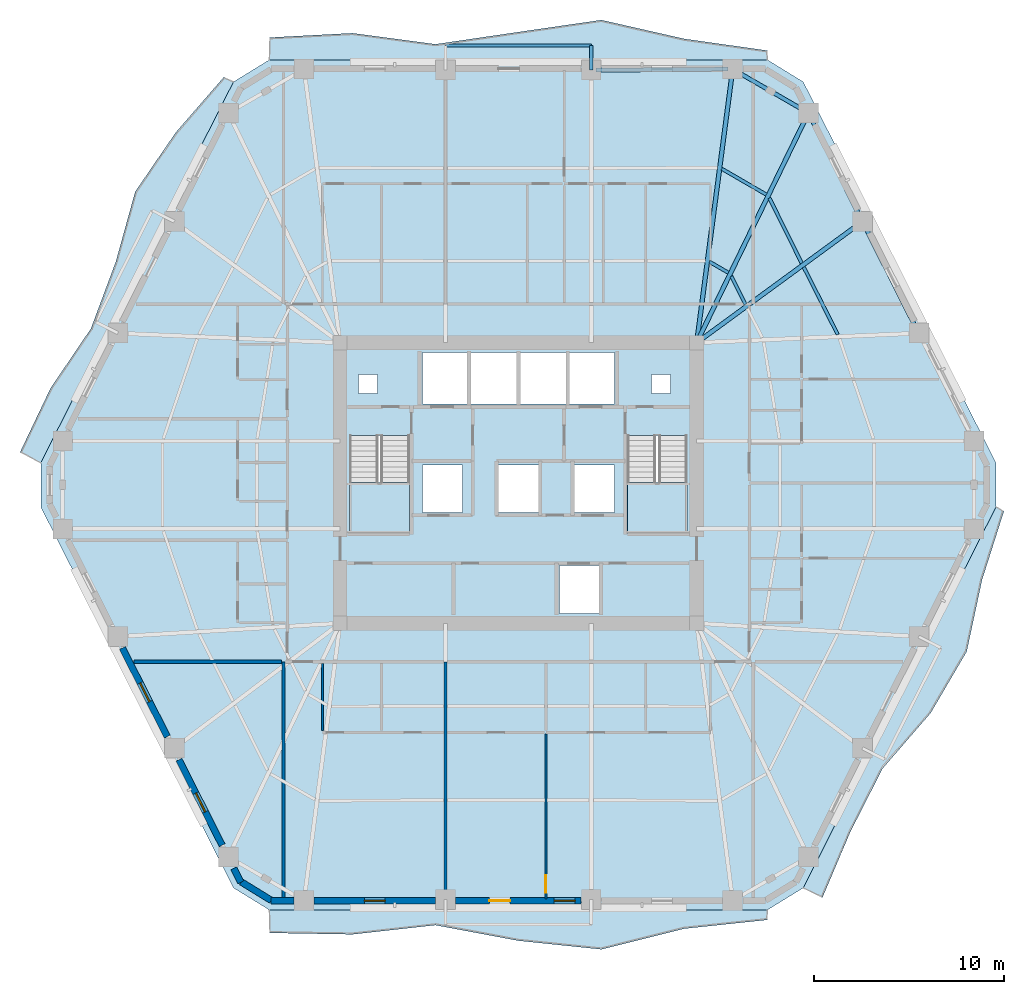
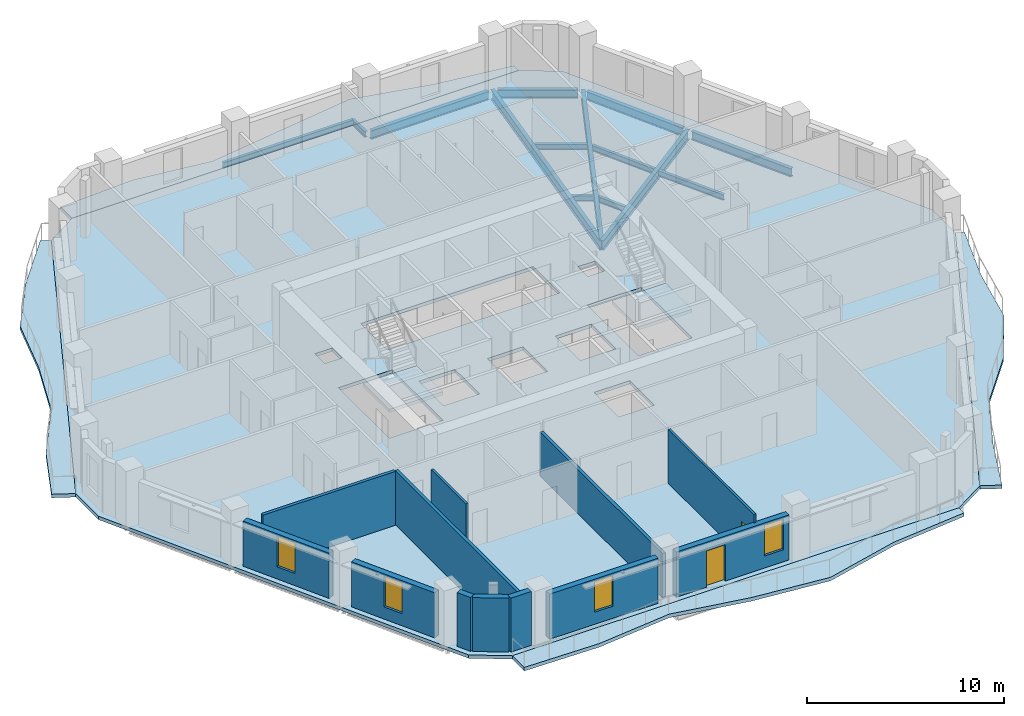
# One storey, part 3 of 12: 14 beams, 12 walls, 7 slabs, 4 windows, 2 doors, 6 openings, 2 elements without a shape of their own.
"""IFC4 building model written with IfcOpenShell, lengths in metres."""

from ifc_helpers import new_model, si_unit, direction, frame, frame_2d, origin, origin_2d, place, context, subcontext, project, spatial, polyline, rectangle, i_section, outline, extrude, material, layer, layer_set, material_profile, profile_set, type_object, element, fill, aggregate, save


model = new_model("IFC4")

# Units and contexts
model_context = context("Model", 3, precision=1e-05, world=origin(), true_north=direction((0.0, 1.0)))
body_context = subcontext(model_context, "Body", "Model", "MODEL_VIEW")
ifc_project = project(units=[si_unit("LENGTHUNIT", "METRE"), si_unit("AREAUNIT", "SQUARE_METRE"), si_unit("VOLUMEUNIT", "CUBIC_METRE"), si_unit("PLANEANGLEUNIT", "RADIAN"), si_unit("MASSUNIT", "GRAM", prefix="KILO")], contexts=[model_context])

# Site, building, storey
site_placement = place(None, origin())
site = spatial("IfcSite", under=ifc_project, at=site_placement, CompositionType="ELEMENT")
building_placement = place(site_placement, origin())
building = spatial("IfcBuilding", under=site, at=building_placement, Name="Cinnabar Lancet Tower", CompositionType="ELEMENT")
storey_placement = place(building_placement, frame((0.0, 0.0, 137.449951171875)))
storey = spatial("IfcBuildingStorey", under=building, at=storey_placement, Name="L36", CompositionType="ELEMENT", Elevation=137.449951171875)

# Beams
ifc_material_1 = material(Name="Structural steel S355", Category="steel")
ifc_material_profile_1 = material_profile(ifc_material_1, i_section(OverallWidth=0.17138671875, OverallDepth=0.35498046875, WebThickness=0.00732421875, FlangeThickness=0.011474609375, FilletRadius=0.01025390625, at=origin_2d()), Name="UKB 356x171x51")
ifc_profile_set_1 = profile_set([ifc_material_profile_1], Name="Structural steel S355")
beam_type_1 = type_object("IfcBeamType", Name="STR-BM-JST-356", PredefinedType="JOIST", material=ifc_profile_set_1)
beam_1_placement = place(storey_placement, frame((49.19189453125, 33.70703125, -0.387939453125), z_axis=(-0.450606998706, 0.892722427587, 0.0), x_axis=(-0.892722427587, -0.450606998706, 0.0)))
element("IfcBeam", 1, at=beam_1_placement, inside=storey, type_object=beam_type_1, Name="L36 Secondary Floor Joist 27", PredefinedType="JOIST", context=body_context, shape_type="SweptSolid", body=[
    extrude(i_section(OverallWidth=0.17138671875, OverallDepth=0.35498046875, WebThickness=0.00732421875, FlangeThickness=0.011474609375, FilletRadius=0.01025390625, at=origin_2d()), origin(), (0.0, 0.0, 1.0), 3.967529296875),
])
beam_2_placement = place(storey_placement, frame((47.300048828125, 37.455078125, -0.387939453125), z_axis=(-0.445116798807, 0.895472520751, 0.0), x_axis=(-0.895472520751, -0.445116798807, 0.0)))
element("IfcBeam", 2, at=beam_2_placement, inside=storey, type_object=beam_type_1, Name="L36 Secondary Floor Joist 29", PredefinedType="JOIST", context=body_context, shape_type="SweptSolid", body=[
    extrude(i_section(OverallWidth=0.17138671875, OverallDepth=0.35498046875, WebThickness=0.00732421875, FlangeThickness=0.011474609375, FilletRadius=0.01025390625, at=origin_2d()), origin(), (0.0, 0.0, 1.0), 3.8212890625),
])
beam_3_placement = place(storey_placement, frame((44.337890625, 35.2900390625, -0.387939453125), z_axis=(-0.445677136949, 0.895193772097, 0.0), x_axis=(-0.895193772097, -0.445677136949, 0.0)))
element("IfcBeam", 3, at=beam_3_placement, inside=storey, type_object=beam_type_1, Name="L36 Secondary Floor Joist 30", PredefinedType="JOIST", context=body_context, shape_type="SweptSolid", body=[
    extrude(i_section(OverallWidth=0.17138671875, OverallDepth=0.35498046875, WebThickness=0.00732421875, FlangeThickness=0.011474609375, FilletRadius=0.01025390625, at=origin_2d()), origin(), (0.0, 0.0, 1.0), 1.6533203125),
])
beam_4_placement = place(storey_placement, frame((45.43505859375, 41.06298828125, -0.387939453125), z_axis=(-0.865172906898, 0.501473669469, 0.0), x_axis=(-0.501473669469, -0.865172906898, 0.0)))
element("IfcBeam", 4, at=beam_4_placement, inside=storey, type_object=beam_type_1, Name="L36 Secondary Floor Joist 31", PredefinedType="JOIST", context=body_context, shape_type="SweptSolid", body=[
    extrude(i_section(OverallWidth=0.17138671875, OverallDepth=0.35498046875, WebThickness=0.00732421875, FlangeThickness=0.011474609375, FilletRadius=0.01025390625, at=origin_2d()), origin(), (0.0, 0.0, 1.0), 2.705810546875),
])
beam_5_placement = place(storey_placement, frame((43.43798828125, 36.9560546875, -0.387939453125), z_axis=(-0.865055308165, 0.501676503154, 0.0), x_axis=(-0.501676503154, -0.865055308165, 0.0)))
element("IfcBeam", 5, at=beam_5_placement, inside=storey, type_object=beam_type_1, Name="L36 Secondary Floor Joist 32", PredefinedType="JOIST", context=body_context, shape_type="SweptSolid", body=[
    extrude(i_section(OverallWidth=0.17138671875, OverallDepth=0.35498046875, WebThickness=0.00732421875, FlangeThickness=0.011474609375, FilletRadius=0.01025390625, at=origin_2d()), origin(), (0.0, 0.0, 1.0), 1.14208984375),
])
ifc_material_2 = material(Name="Structural steel S355", Category="steel")
ifc_material_profile_2 = material_profile(ifc_material_2, i_section(OverallWidth=0.209228515625, OverallDepth=0.533203125, WebThickness=0.010009765625, FlangeThickness=0.015625, FilletRadius=0.0126953125, at=origin_2d()), Name="UKB 533x210x92")
ifc_profile_set_2 = profile_set([ifc_material_profile_2], Name="Structural steel S355")
beam_type_2 = type_object("IfcBeamType", Name="STR-BM-SPN-533", PredefinedType="SPANDREL", material=ifc_profile_set_2)
beam_6_placement = place(storey_placement, frame((53.339111328125, 33.9990234375, -0.47705078125), z_axis=(-0.450570325924, 0.892740937449, 0.0), x_axis=(-0.892740937449, -0.450570325924, 0.0)))
element("IfcBeam", 6, at=beam_6_placement, inside=storey, type_object=beam_type_2, Name="L36 Perimeter Spandrel 10", PredefinedType="SPANDREL", context=body_context, shape_type="SweptSolid", body=[
    extrude(i_section(OverallWidth=0.209228515625, OverallDepth=0.533203125, WebThickness=0.010009765625, FlangeThickness=0.015625, FilletRadius=0.0126953125, at=origin_2d()), origin(), (0.0, 0.0, 1.0), 6.07470703125),
])
beam_7_placement = place(storey_placement, frame((50.3779296875, 39.868896484375, -0.47705078125), z_axis=(-0.445501068635, 0.89528140707, 0.0), x_axis=(-0.89528140707, -0.445501068635, 0.0)))
element("IfcBeam", 7, at=beam_7_placement, inside=storey, type_object=beam_type_2, Name="L36 Perimeter Spandrel 11", PredefinedType="SPANDREL", context=body_context, shape_type="SweptSolid", body=[
    extrude(i_section(OverallWidth=0.209228515625, OverallDepth=0.533203125, WebThickness=0.010009765625, FlangeThickness=0.015625, FilletRadius=0.0126953125, at=origin_2d()), origin(), (0.0, 0.0, 1.0), 5.87646484375),
])
beam_8_placement = place(storey_placement, frame((47.43310546875, 45.47900390625, -0.47705078125), z_axis=(-0.865138129765, 0.5015336643, 0.0), x_axis=(-0.5015336643, -0.865138129765, 0.0)))
element("IfcBeam", 8, at=beam_8_placement, inside=storey, type_object=beam_type_2, Name="L36 Perimeter Spandrel 12", PredefinedType="SPANDREL", context=body_context, shape_type="SweptSolid", body=[
    extrude(i_section(OverallWidth=0.209228515625, OverallDepth=0.533203125, WebThickness=0.010009765625, FlangeThickness=0.015625, FilletRadius=0.0126953125, at=origin_2d()), origin(), (0.0, 0.0, 1.0), 4.10107421875),
])
beam_9_placement = place(storey_placement, frame((43.4189453125, 47.658935546875, -0.47705078125), z_axis=(-0.999975228682, -0.007038609338, 0.0), x_axis=(0.007038609338, -0.999975228682, 0.0)))
element("IfcBeam", 9, at=beam_9_placement, inside=storey, type_object=beam_type_2, Name="L36 Perimeter Spandrel 13", PredefinedType="SPANDREL", context=body_context, shape_type="SweptSolid", body=[
    extrude(i_section(OverallWidth=0.209228515625, OverallDepth=0.533203125, WebThickness=0.010009765625, FlangeThickness=0.015625, FilletRadius=0.0126953125, at=origin_2d()), origin(), (0.0, 0.0, 1.0), 6.937255859375),
])
ifc_material_3 = material(Name="Structural steel S355", Category="steel")
ifc_material_profile_3 = material_profile(ifc_material_3, i_section(OverallWidth=0.228271484375, OverallDepth=0.607666015625, WebThickness=0.010986328125, FlangeThickness=0.017333984375, FilletRadius=0.0126953125, at=origin_2d()), Name="UKB 610x229x113")
ifc_profile_set_3 = profile_set([ifc_material_profile_3], Name="Structural steel S355")
beam_type_3 = type_object("IfcBeamType", Name="STR-BM-UKB610-113", PredefinedType="BEAM", material=ifc_profile_set_3)
beam_10_placement = place(storey_placement, frame((50.489013671875, 39.64501953125, -0.513916015625), z_axis=(-0.807297870919, -0.590144175273, 0.0), x_axis=(0.590144175273, -0.807297870919, 0.0)))
element("IfcBeam", 10, at=beam_10_placement, inside=storey, type_object=beam_type_3, Name="L36 Corner Collector Girder 3", PredefinedType="BEAM", context=body_context, shape_type="SweptSolid", body=[
    extrude(i_section(OverallWidth=0.228271484375, OverallDepth=0.607666015625, WebThickness=0.010986328125, FlangeThickness=0.017333984375, FilletRadius=0.0126953125, at=origin_2d()), origin(), (0.0, 0.0, 1.0), 10.794189453125),
])
beam_11_placement = place(storey_placement, frame((47.64892578125, 45.35400390625, -0.513916015625), z_axis=(-0.437327473227, -0.899302330232, 0.0), x_axis=(0.899302330232, -0.437327473227, 0.0)))
element("IfcBeam", 11, at=beam_11_placement, inside=storey, type_object=beam_type_3, Name="L36 Primary Floor Girder 12", PredefinedType="BEAM", context=body_context, shape_type="SweptSolid", body=[
    extrude(i_section(OverallWidth=0.228271484375, OverallDepth=0.607666015625, WebThickness=0.010986328125, FlangeThickness=0.017333984375, FilletRadius=0.0126953125, at=origin_2d()), origin(), (0.0, 0.0, 1.0), 13.431640625),
])
beam_12_placement = place(storey_placement, frame((43.6689453125, 47.660888671875, -0.513916015625), z_axis=(-0.130532420418, -0.991444041396, 0.0), x_axis=(0.991444041396, -0.130532420418, 0.0)))
element("IfcBeam", 12, at=beam_12_placement, inside=storey, type_object=beam_type_3, Name="L36 Primary Floor Girder 13", PredefinedType="BEAM", context=body_context, shape_type="SweptSolid", body=[
    extrude(i_section(OverallWidth=0.228271484375, OverallDepth=0.607666015625, WebThickness=0.010986328125, FlangeThickness=0.017333984375, FilletRadius=0.0126953125, at=origin_2d()), origin(), (0.0, 0.0, 1.0), 14.51025390625),
])
ifc_material_4 = material(Name="Structural steel S355", Category="steel")
ifc_material_profile_4 = material_profile(ifc_material_4, i_section(OverallWidth=0.17138671875, OverallDepth=0.35498046875, WebThickness=0.00732421875, FlangeThickness=0.011474609375, FilletRadius=0.01025390625, at=origin_2d()), Name="UKB 356x171x51")
ifc_profile_set_4 = profile_set([ifc_material_profile_4], Name="Structural steel S355")
beam_type_4 = type_object("IfcBeamType", Name="STR-BM-WAV-OUT", PredefinedType="BEAM", material=ifc_profile_set_4)
beam_13_placement = place(storey_placement, frame((36.23193359375, 47.60791015625, -0.39794921875), z_axis=(0.0, 1.0, 0.0), x_axis=(-1.0, 0.0, 0.0)))
element("IfcBeam", 13, at=beam_13_placement, inside=storey, type_object=beam_type_4, Name="L36 Face 4 Balcony Outlooker A", PredefinedType="BEAM", context=body_context, shape_type="SweptSolid", body=[
    extrude(i_section(OverallWidth=0.17138671875, OverallDepth=0.35498046875, WebThickness=0.00732421875, FlangeThickness=0.011474609375, FilletRadius=0.01025390625, at=origin_2d()), origin(), (0.0, 0.0, 1.0), 1.300048828125),
])
ifc_material_5 = material(Name="Structural steel S355", Category="steel")
ifc_material_profile_5 = material_profile(ifc_material_5, i_section(OverallWidth=0.17138671875, OverallDepth=0.35498046875, WebThickness=0.00732421875, FlangeThickness=0.011474609375, FilletRadius=0.01025390625, at=origin_2d()), Name="UKB 356x171x51")
ifc_profile_set_5 = profile_set([ifc_material_profile_5], Name="Structural steel S355")
beam_type_5 = type_object("IfcBeamType", Name="STR-BM-WAV-TRIM", PredefinedType="SPANDREL", material=ifc_profile_set_5)
beam_14_placement = place(storey_placement, frame((36.23193359375, 48.907958984375, -0.39794921875), z_axis=(-1.0, 0.0, 0.0), x_axis=(0.0, -1.0, 0.0)))
element("IfcBeam", 14, at=beam_14_placement, inside=storey, type_object=beam_type_5, Name="L36 Face 4 Balcony Edge Trimmer", PredefinedType="SPANDREL", context=body_context, shape_type="SweptSolid", body=[
    extrude(i_section(OverallWidth=0.17138671875, OverallDepth=0.35498046875, WebThickness=0.00732421875, FlangeThickness=0.011474609375, FilletRadius=0.01025390625, at=origin_2d()), origin(), (0.0, 0.0, 1.0), 7.663818359375),
])

# Stair, slab
ifc_material_6 = material(Name="Concrete C40/50", Category="concrete")
stair_type = type_object("IfcStairType", Name="ST-CORE", PredefinedType="HALF_TURN_STAIR", material=ifc_material_6)
stair_1_placement = place(storey_placement, origin())
stair_1 = element("IfcStair", 15, at=stair_1_placement, inside=storey, type_object=stair_type, Name="L36 ST-1", PredefinedType="HALF_TURN_STAIR")
ifc_material_7 = material(Name="Concrete C40/50", Category="concrete")
ifc_layer_1 = layer(ifc_material_7, 0.199951171875)
ifc_layer_set_1 = layer_set([ifc_layer_1], Name="Concrete C40/50")
slab_type_1 = type_object("IfcSlabType", Name="LANDING-CORE", PredefinedType="LANDING", material=ifc_layer_set_1)
slab_1_placement = place(storey_placement, frame((0.0, 0.0, 1.574951171875)))
slab_1 = element("IfcSlab", 16, at=slab_1_placement, type_object=slab_type_1, Name="ST-1 landing 1", PredefinedType="LANDING", context=body_context, shape_type="SweptSolid", body=[
    extrude(outline(polyline([(23.52490234375, 25.925048828125), (23.52490234375, 23.25), (26.675048828125, 23.25), (26.675048828125, 25.925048828125), (23.52490234375, 25.925048828125)])), origin(), (0.0, 0.0, 1.0), 0.2001953125),
])
aggregate(stair_1, [slab_1])

stair_2_placement = place(storey_placement, origin())
stair_2 = element("IfcStair", 17, at=stair_2_placement, inside=storey, type_object=stair_type, Name="L36 ST-2", PredefinedType="HALF_TURN_STAIR")
slab_2_placement = place(storey_placement, frame((0.0, 0.0, 1.574951171875)))
slab_2 = element("IfcSlab", 18, at=slab_2_placement, type_object=slab_type_1, Name="ST-2 landing 1", PredefinedType="LANDING", context=body_context, shape_type="SweptSolid", body=[
    extrude(outline(polyline([(38.125, 25.925048828125), (38.125, 23.25), (41.27490234375, 23.25), (41.27490234375, 25.925048828125), (38.125, 25.925048828125)])), origin(), (0.0, 0.0, 1.0), 0.2001953125),
])
aggregate(stair_2, [slab_2])

# Slabs
ifc_material_8 = material(Name="Concrete C40/50", Category="concrete")
ifc_layer_2 = layer(ifc_material_8, 0.2099609375)
ifc_layer_set_2 = layer_set([ifc_layer_2], Name="Concrete C40/50")
slab_type_2 = type_object("IfcSlabType", Name="STR-SLB-FLR-210", PredefinedType="FLOOR", material=ifc_layer_set_2)
slab_3_placement = place(storey_placement, frame((0.0, 0.0, -0.2099609375)))
element("IfcSlab", 19, at=slab_3_placement, inside=storey, type_object=slab_type_2, Name="L36 Structural Floor Slab", PredefinedType="FLOOR", context=body_context, shape_type="SweptSolid", body=[
    extrude(outline(polyline([(17.4208984375, 4.610107421875), (19.30810546875, 3.449951171875), (45.491943359375, 3.449951171875), (47.37890625, 4.610107421875), (57.512939453125, 24.639892578125), (57.512939453125, 26.9599609375), (47.37890625, 46.989990234375), (45.491943359375, 48.14990234375), (19.30810546875, 48.14990234375), (17.4208984375, 46.989990234375), (7.287109375, 26.9599609375), (7.287109375, 24.639892578125), (17.4208984375, 4.610107421875)]), holes=[polyline([(23.52490234375, 23.25), (26.675048828125, 23.25), (26.675048828125, 28.3994140625), (23.52490234375, 28.3994140625), (23.52490234375, 23.25)]), polyline([(38.125, 23.25), (41.27490234375, 23.25), (41.27490234375, 28.3994140625), (38.125, 28.3994140625), (38.125, 23.25)]), polyline([(27.35009765625, 30.050048828125), (37.449951171875, 30.050048828125), (37.449951171875, 32.75), (27.35009765625, 32.75), (27.35009765625, 30.050048828125)]), polyline([(34.550048828125, 19.050048828125), (36.64990234375, 19.050048828125), (36.64990234375, 21.550048828125), (34.550048828125, 21.550048828125), (34.550048828125, 19.050048828125)]), polyline([(27.35009765625, 24.35009765625), (29.449951171875, 24.35009765625), (29.449951171875, 26.85009765625), (27.35009765625, 26.85009765625), (27.35009765625, 24.35009765625)]), polyline([(35.35009765625, 24.35009765625), (37.449951171875, 24.35009765625), (37.449951171875, 26.85009765625), (35.35009765625, 26.85009765625), (35.35009765625, 24.35009765625)]), polyline([(31.35009765625, 24.35009765625), (33.449951171875, 24.35009765625), (33.449951171875, 26.85009765625), (31.35009765625, 26.85009765625), (31.35009765625, 24.35009765625)]), polyline([(24.0, 30.60009765625), (25.0, 30.60009765625), (25.0, 31.60009765625), (24.0, 31.60009765625), (24.0, 30.60009765625)]), polyline([(39.39990234375, 30.60009765625), (40.39990234375, 30.60009765625), (40.39990234375, 31.60009765625), (39.39990234375, 31.60009765625), (39.39990234375, 30.60009765625)])]), origin(), (0.0, 0.0, 1.0), 0.2099609375),
])
ifc_material_9 = material(Name="Concrete C45/55", Category="concrete")
ifc_layer_3 = layer(ifc_material_9, 0.219970703125)
ifc_layer_set_3 = layer_set([ifc_layer_3], Name="Concrete C45/55")
slab_type_3 = type_object("IfcSlabType", Name="STR-SLB-WAV-220", PredefinedType="FLOOR", material=ifc_layer_set_3)
slab_4_placement = place(storey_placement, frame((0.0, 0.0, -0.219970703125)))
element("IfcSlab", 20, at=slab_4_placement, inside=storey, type_object=slab_type_3, Name="L36 Face 1 Undulating Wave Balcony Slab", PredefinedType="FLOOR", context=body_context, shape_type="SweptSolid", body=[
    extrude(outline(polyline([(19.30810546875, 3.449951171875), (19.30810546875, 2.242919921875), (23.672119140625, 2.1669921875), (28.035888671875, 2.65087890625), (32.39990234375, 1.83203125), (36.763916015625, 1.3779296875), (41.1279296875, 2.466064453125), (45.491943359375, 2.927978515625), (45.491943359375, 3.449951171875), (19.30810546875, 3.449951171875)])), origin(), (0.0, 0.0, 1.0), 0.219970703125),
])
slab_5_placement = place(storey_placement, frame((0.0, 0.0, -0.219970703125)))
element("IfcSlab", 21, at=slab_5_placement, inside=storey, type_object=slab_type_3, Name="L36 Face 2 Undulating Wave Balcony Slab", PredefinedType="FLOOR", context=body_context, shape_type="SweptSolid", body=[
    extrude(outline(polyline([(47.37890625, 4.610107421875), (48.385009765625, 4.10107421875), (49.85107421875, 7.552001953125), (51.549072265625, 10.885986328125), (54.073974609375, 13.801025390625), (55.971923828125, 17.033935546875), (56.781982421875, 20.81689453125), (57.93310546875, 24.427978515625), (57.512939453125, 24.639892578125), (47.37890625, 4.610107421875)])), origin(), (0.0, 0.0, 1.0), 0.219970703125),
])
slab_6_placement = place(storey_placement, frame((0.0, 0.0, -0.219970703125)))
element("IfcSlab", 22, at=slab_6_placement, inside=storey, type_object=slab_type_3, Name="L36 Face 4 Undulating Wave Balcony Slab", PredefinedType="FLOOR", context=body_context, shape_type="SweptSolid", body=[
    extrude(outline(polyline([(45.491943359375, 48.14990234375), (45.491943359375, 48.635986328125), (41.1279296875, 49.251953125), (36.763916015625, 50.242919921875), (32.39990234375, 49.610107421875), (28.035888671875, 48.969970703125), (23.672119140625, 49.551025390625), (19.30810546875, 49.321044921875), (19.30810546875, 48.14990234375), (45.491943359375, 48.14990234375)])), origin(), (0.0, 0.0, 1.0), 0.219970703125),
])
slab_7_placement = place(storey_placement, frame((0.0, 0.0, -0.219970703125)))
element("IfcSlab", 23, at=slab_7_placement, inside=storey, type_object=slab_type_3, Name="L36 Face 5 Undulating Wave Balcony Slab", PredefinedType="FLOOR", context=body_context, shape_type="SweptSolid", body=[
    extrude(outline(polyline([(17.4208984375, 46.989990234375), (16.9169921875, 47.2451171875), (14.386962890625, 44.33203125), (12.25390625, 41.218017578125), (11.236083984375, 37.541015625), (9.922119140625, 34.012939453125), (7.805908203125, 30.889892578125), (6.196044921875, 27.511962890625), (7.287109375, 26.9599609375), (17.4208984375, 46.989990234375)])), origin(), (0.0, 0.0, 1.0), 0.219970703125),
])

# Walls
ifc_material_10 = material(Name="Fire-rated twin-frame acoustic drywall", Category="gypsum")
ifc_layer_4 = layer(ifc_material_10, 0.179931640625)
ifc_layer_set_4 = layer_set([ifc_layer_4], Name="Fire-rated twin-frame acoustic drywall")
wall_type_1 = type_object("IfcWallType", Name="ARC-WL-PARTY-180", PredefinedType="PARTITIONING", material=ifc_layer_set_4)
wall_1_placement = place(storey_placement, frame((20.050048828125, 4.10498046875, 0.0), z_axis=(0.0, 0.0, 1.0), x_axis=(0.0, 1.0, 0.0)))
element("IfcWall", 24, at=wall_1_placement, inside=storey, type_object=wall_type_1, Name="PW-L36-SPTY-200", PredefinedType="PARTITIONING", context=body_context, shape_type="SweptSolid", body=[
    extrude(rectangle(XDim=12.39501953125, YDim=0.179931640625, at=frame_2d((6.197509765625, 0.0))), origin(), (0.0, 0.0, 1.0), 3.340087890625),
])
wall_2_placement = place(storey_placement, frame((28.568115234375, 4.10498046875, 0.0), z_axis=(0.0, 0.0, 1.0), x_axis=(0.0, 1.0, 0.0)))
element("IfcWall", 25, at=wall_2_placement, inside=storey, type_object=wall_type_1, Name="PW-L36-SPTY-286", PredefinedType="PARTITIONING", context=body_context, shape_type="SweptSolid", body=[
    extrude(rectangle(XDim=12.39501953125, YDim=0.179931640625, at=frame_2d((6.197509765625, 0.0))), origin(), (0.0, 0.0, 1.0), 2.72216796875),
])
wall_3_placement = place(storey_placement, frame((12.18505859375, 16.5, 0.0), z_axis=(0.0, 0.0, 1.0), x_axis=(1.0, 0.0, 0.0)))
element("IfcWall", 26, at=wall_3_placement, inside=storey, type_object=wall_type_1, Name="PW-L36-WSB", PredefinedType="PARTITIONING", context=body_context, shape_type="SweptSolid", body=[
    extrude(rectangle(XDim=7.77001953125, YDim=0.179931640625, at=frame_2d((3.885009765625, 0.0))), origin(), (0.0, 0.0, 1.0), 3.340087890625),
])
ifc_material_11 = material(Name="Gypsum plasterboard stud partition", Category="gypsum")
ifc_layer_5 = layer(ifc_material_11, 0.125)
ifc_layer_set_5 = layer_set([ifc_layer_5], Name="Gypsum plasterboard stud partition")
wall_type_2 = type_object("IfcWallType", Name="ARC-WL-UNIT-125", PredefinedType="PARTITIONING", material=ifc_layer_set_5)
wall_4_placement = place(storey_placement, frame((22.10009765625, 12.886962890625, 0.0), z_axis=(0.0, 0.0, 1.0), x_axis=(0.0, 1.0, 0.0)))
element("IfcWall", 27, at=wall_4_placement, inside=storey, type_object=wall_type_2, Name="UW-L36-S01-FOYE", PredefinedType="PARTITIONING", context=body_context, shape_type="SweptSolid", body=[
    extrude(rectangle(XDim=3.528076171875, YDim=0.125, at=frame_2d((1.76416015625, 0.0))), origin(), (0.0, 0.0, 1.0), 2.72216796875),
])

# Wall, opening, door
wall_5_placement = place(storey_placement, frame((33.85009765625, 4.014892578125, 0.0), z_axis=(0.0, 0.0, 1.0), x_axis=(0.0, 1.0, 0.0)))
wall_5 = element("IfcWall", 28, at=wall_5_placement, inside=storey, type_object=wall_type_2, Name="UW-L36-S02-MBW", PredefinedType="PARTITIONING", context=body_context, shape_type="SweptSolid", body=[
    extrude(rectangle(XDim=8.692138671875, YDim=0.125, at=frame_2d((4.34619140625, 0.0))), origin(), (0.0, 0.0, 1.0), 3.340087890625),
])
opening_1_placement = place(wall_5_placement, frame((0.35009765625, 0.0, 0.0)))
opening_1 = element("IfcOpeningElement", 29, at=opening_1_placement, cuts=wall_5, Name="Opening RD-01", PredefinedType="OPENING", context=body_context, shape_type="SweptSolid", body=[
    extrude(rectangle(XDim=0.919921875, YDim=2.14990234375, at=frame_2d((0.4599609375, 1.074951171875))), frame((0.0, 0.072509765625, 0.0), z_axis=(0.0, -1.0, 0.0), x_axis=(1.0, 0.0, 0.0)), (0.0, 0.0, 1.0), 0.14501953125),
])
ifc_material_12 = material(Name="Engineered timber bedroom door", Category="wood")
door_type_1 = type_object("IfcDoorType", Name="ARC-DR-ROOM", OperationType="NOTDEFINED", PredefinedType="DOOR", material=ifc_material_12)
door_1_placement = place(opening_1_placement, origin())
door_1 = element("IfcDoor", 30, at=door_1_placement, inside=storey, type_object=door_type_1, Name="DR-L36-S02-MBD", OperationType="SINGLE_SWING_LEFT", OverallHeight=2.14990234375, OverallWidth=0.919921875, PredefinedType="DOOR", context=body_context, shape_type="SweptSolid", body=[
    extrude(rectangle(XDim=0.919921875, YDim=2.14990234375, at=frame_2d((0.4599609375, 1.074951171875))), frame((0.0, 0.02490234375, 0.0), z_axis=(0.0, -1.0, 0.0), x_axis=(1.0, 0.0, 0.0)), (0.0, 0.0, 1.0), 0.050048828125),
])
fill(opening_1, door_1)

# Walls
ifc_material_13 = material(Name="Cinnabar red clay brick", Category="masonry")
ifc_layer_6 = layer(ifc_material_13, 0.340087890625)
ifc_layer_set_6 = layer_set([ifc_layer_6], Name="Cinnabar red clay brick")
wall_type_3 = type_object("IfcWallType", Name="ENV-WL-BRK-RED-340", PredefinedType="STANDARD", material=ifc_layer_set_6)
wall_6_placement = place(storey_placement, frame((17.8291015625, 4.923095703125, 0.0), z_axis=(0.0, 0.0, 1.0), x_axis=(0.851798915137, -0.523868884523, 0.0)))
element("IfcWall", 31, at=wall_6_placement, inside=storey, type_object=wall_type_3, Name="L36 Chamfered Corner Brick Pier 1.1", PredefinedType="STANDARD", context=body_context, shape_type="SweptSolid", body=[
    extrude(rectangle(XDim=1.847900390625, YDim=0.340087890625, at=frame_2d((0.923828125, 0.0))), origin(), (0.0, 0.0, 1.0), 3.340087890625),
])
wall_7_placement = place(storey_placement, frame((19.39794921875, 3.929931640625, 0.0), z_axis=(0.0, 0.0, 1.0), x_axis=(1.0, 0.0, 0.0)))
element("IfcWall", 32, at=wall_7_placement, inside=storey, type_object=wall_type_3, Name="L36 Face 1 Masonry Bay Wall 1", PredefinedType="STANDARD", context=body_context, shape_type="SweptSolid", body=[
    extrude(rectangle(XDim=1.2041015625, YDim=0.340087890625, at=frame_2d((0.60205078125, 0.0))), origin(), (0.0, 0.0, 1.0), 3.340087890625),
])

# Wall, opening, window
wall_8_placement = place(storey_placement, frame((21.659912109375, 3.929931640625, 0.0), z_axis=(0.0, 0.0, 1.0), x_axis=(1.0, 0.0, 0.0)))
wall_8 = element("IfcWall", 33, at=wall_8_placement, inside=storey, type_object=wall_type_3, Name="L36 Face 1 Masonry Bay Wall 2", PredefinedType="STANDARD", context=body_context, shape_type="SweptSolid", body=[
    extrude(rectangle(XDim=6.379150390625, YDim=0.340087890625, at=frame_2d((3.189453125, 0.0))), origin(), (0.0, 0.0, 1.0), 2.797119140625),
])
opening_2_placement = place(wall_8_placement, frame((2.639892578125, 0.0, 0.75)))
opening_2 = element("IfcOpeningElement", 34, at=opening_2_placement, cuts=wall_8, Name="Opening WN-04", PredefinedType="OPENING", context=body_context, shape_type="SweptSolid", body=[
    extrude(rectangle(XDim=1.10009765625, YDim=1.89697265625, at=frame_2d((0.550048828125, 0.948486328125))), frame((0.0, 0.179931640625, 0.0), z_axis=(0.0, -1.0, 0.0), x_axis=(1.0, 0.0, 0.0)), (0.0, 0.0, 1.0), 0.360107421875),
])
ifc_material_14 = material(Name="Thermally broken bronze-anodized aluminium tall lancet window", Category="aluminium")
window_type = type_object("IfcWindowType", Name="ENV-WN-LANCET-1100", PartitioningType="SINGLE_PANEL", PredefinedType="WINDOW", material=ifc_material_14)
window_1_placement = place(opening_2_placement, origin())
window_1 = element("IfcWindow", 35, at=window_1_placement, inside=storey, type_object=window_type, Name="L36 Face 1 Gothic Lancet Window 2", OverallHeight=1.89697265625, OverallWidth=1.10009765625, PartitioningType="SINGLE_PANEL", PredefinedType="WINDOW", context=body_context, shape_type="SweptSolid", body=[
    extrude(rectangle(XDim=1.10009765625, YDim=1.89697265625, at=frame_2d((0.550048828125, 0.948486328125))), frame((0.0, 0.030029296875, 0.0), z_axis=(0.0, -1.0, 0.0), x_axis=(1.0, 0.0, 0.0)), (0.0, 0.0, 1.0), 0.06005859375),
])
fill(opening_2, window_1)

# Wall, openings, door, window
wall_9_placement = place(storey_placement, frame((29.096923828125, 3.929931640625, 0.0), z_axis=(0.0, 0.0, 1.0), x_axis=(1.0, 0.0, 0.0)))
wall_9 = element("IfcWall", 36, at=wall_9_placement, inside=storey, type_object=wall_type_3, Name="L36 Face 1 Masonry Bay Wall 3", PredefinedType="STANDARD", context=body_context, shape_type="SweptSolid", body=[
    extrude(rectangle(XDim=6.60595703125, YDim=0.340087890625, at=frame_2d((3.302978515625, 0.0))), origin(), (0.0, 0.0, 1.0), 2.797119140625),
])
opening_3_placement = place(wall_9_placement, frame((1.77490234375, 0.0, 0.0)))
opening_3 = element("IfcOpeningElement", 37, at=opening_3_placement, cuts=wall_9, Name="Opening TD-01", PredefinedType="OPENING", context=body_context, shape_type="SweptSolid", body=[
    extrude(rectangle(XDim=1.10009765625, YDim=2.25, at=frame_2d((0.550048828125, 1.125))), frame((0.0, 0.179931640625, 0.0), z_axis=(0.0, -1.0, 0.0), x_axis=(1.0, 0.0, 0.0)), (0.0, 0.0, 1.0), 0.360107421875),
])
opening_4_placement = place(wall_9_placement, frame((5.18603515625, 0.0, 0.75)))
opening_4 = element("IfcOpeningElement", 38, at=opening_4_placement, cuts=wall_9, Name="Opening WN-04", PredefinedType="OPENING", context=body_context, shape_type="SweptSolid", body=[
    extrude(rectangle(XDim=1.10009765625, YDim=1.89697265625, at=frame_2d((0.550048828125, 0.948486328125))), frame((0.0, 0.179931640625, 0.0), z_axis=(0.0, -1.0, 0.0), x_axis=(1.0, 0.0, 0.0)), (0.0, 0.0, 1.0), 0.360107421875),
])
ifc_material_15 = material(Name="Thermally broken low-E glazed balcony terrace door", Category="wood")
door_type_2 = type_object("IfcDoorType", Name="ARC-DR-BALC", OperationType="NOTDEFINED", PredefinedType="DOOR", material=ifc_material_15)
door_2_placement = place(opening_3_placement, origin())
door_2 = element("IfcDoor", 39, at=door_2_placement, inside=storey, type_object=door_type_2, Name="L36 Face 1 Glazed Terrace Door", OperationType="SINGLE_SWING_LEFT", OverallHeight=2.25, OverallWidth=1.10009765625, PredefinedType="DOOR", context=body_context, shape_type="SweptSolid", body=[
    extrude(rectangle(XDim=1.10009765625, YDim=2.25, at=frame_2d((0.550048828125, 1.125))), frame((0.0, 0.02490234375, 0.0), z_axis=(0.0, -1.0, 0.0), x_axis=(1.0, 0.0, 0.0)), (0.0, 0.0, 1.0), 0.050048828125),
])
fill(opening_3, door_2)
window_2_placement = place(opening_4_placement, origin())
window_2 = element("IfcWindow", 40, at=window_2_placement, inside=storey, type_object=window_type, Name="L36 Split-Bay Gothic Lancet Window 104", OverallHeight=1.89697265625, OverallWidth=1.10009765625, PartitioningType="SINGLE_PANEL", PredefinedType="WINDOW", context=body_context, shape_type="SweptSolid", body=[
    extrude(rectangle(XDim=1.10009765625, YDim=1.89697265625, at=frame_2d((0.550048828125, 0.948486328125))), frame((0.0, 0.030029296875, 0.0), z_axis=(0.0, -1.0, 0.0), x_axis=(1.0, 0.0, 0.0)), (0.0, 0.0, 1.0), 0.06005859375),
])
fill(opening_4, window_2)

# Wall, opening, window
wall_10_placement = place(storey_placement, frame((11.580078125, 17.218017578125, 0.0), z_axis=(0.0, 0.0, 1.0), x_axis=(0.451567731634, -0.892236842855, 0.0)))
wall_10 = element("IfcWall", 41, at=wall_10_placement, inside=storey, type_object=wall_type_3, Name="L36 Face 6 Masonry Bay Wall 3", PredefinedType="STANDARD", context=body_context, shape_type="SweptSolid", body=[
    extrude(rectangle(XDim=5.219482421875, YDim=0.340087890625, at=frame_2d((2.60986328125, 0.0))), origin(), (0.0, 0.0, 1.0), 2.797119140625),
])
opening_5_placement = place(wall_10_placement, frame((2.06005859375, 0.0, 0.75)))
opening_5 = element("IfcOpeningElement", 42, at=opening_5_placement, cuts=wall_10, Name="Opening WN-04", PredefinedType="OPENING", context=body_context, shape_type="SweptSolid", body=[
    extrude(rectangle(XDim=1.10009765625, YDim=1.89697265625, at=frame_2d((0.550048828125, 0.948486328125))), frame((0.0, 0.179931640625, 0.0), z_axis=(0.0, -1.0, 0.0), x_axis=(1.0, 0.0, 0.0)), (0.0, 0.0, 1.0), 0.360107421875),
])
window_3_placement = place(opening_5_placement, origin())
window_3 = element("IfcWindow", 43, at=window_3_placement, inside=storey, type_object=window_type, Name="L36 Face 6 Gothic Lancet Window 3", OverallHeight=1.89697265625, OverallWidth=1.10009765625, PartitioningType="SINGLE_PANEL", PredefinedType="WINDOW", context=body_context, shape_type="SweptSolid", body=[
    extrude(rectangle(XDim=1.10009765625, YDim=1.89697265625, at=frame_2d((0.550048828125, 0.948486328125))), frame((0.0, 0.030029296875, 0.0), z_axis=(0.0, -1.0, 0.0), x_axis=(1.0, 0.0, 0.0)), (0.0, 0.0, 1.0), 0.06005859375),
])
fill(opening_5, window_3)

wall_11_placement = place(storey_placement, frame((14.549072265625, 11.34912109375, 0.0), z_axis=(0.0, 0.0, 1.0), x_axis=(0.451548465867, -0.892246593142, 0.0)))
wall_11 = element("IfcWall", 44, at=wall_11_placement, inside=storey, type_object=wall_type_3, Name="L36 Face 6 Masonry Bay Wall 4", PredefinedType="STANDARD", context=body_context, shape_type="SweptSolid", body=[
    extrude(rectangle(XDim=5.040283203125, YDim=0.340087890625, at=frame_2d((2.52001953125, 0.0))), origin(), (0.0, 0.0, 1.0), 2.797119140625),
])
opening_6_placement = place(wall_11_placement, frame((1.969970703125, 0.0, 0.75)))
opening_6 = element("IfcOpeningElement", 45, at=opening_6_placement, cuts=wall_11, Name="Opening WN-04", PredefinedType="OPENING", context=body_context, shape_type="SweptSolid", body=[
    extrude(rectangle(XDim=1.10009765625, YDim=1.89697265625, at=frame_2d((0.550048828125, 0.948486328125))), frame((0.0, 0.179931640625, 0.0), z_axis=(0.0, -1.0, 0.0), x_axis=(1.0, 0.0, 0.0)), (0.0, 0.0, 1.0), 0.360107421875),
])
window_4_placement = place(opening_6_placement, origin())
window_4 = element("IfcWindow", 46, at=window_4_placement, inside=storey, type_object=window_type, Name="L36 Face 6 Gothic Lancet Window 4", OverallHeight=1.89697265625, OverallWidth=1.10009765625, PartitioningType="SINGLE_PANEL", PredefinedType="WINDOW", context=body_context, shape_type="SweptSolid", body=[
    extrude(rectangle(XDim=1.10009765625, YDim=1.89697265625, at=frame_2d((0.550048828125, 0.948486328125))), frame((0.0, 0.030029296875, 0.0), z_axis=(0.0, -1.0, 0.0), x_axis=(1.0, 0.0, 0.0)), (0.0, 0.0, 1.0), 0.06005859375),
])
fill(opening_6, window_4)

# Wall
wall_12_placement = place(storey_placement, frame((17.43798828125, 5.639892578125, 0.0), z_axis=(0.0, 0.0, 1.0), x_axis=(0.45172514337, -0.892157158155, 0.0)))
element("IfcWall", 47, at=wall_12_placement, inside=storey, type_object=wall_type_3, Name="L36 Face 6 Masonry Bay Wall 5", PredefinedType="STANDARD", context=body_context, shape_type="SweptSolid", body=[
    extrude(rectangle(XDim=0.821533203125, YDim=0.340087890625, at=frame_2d((0.41064453125, 0.0))), origin(), (0.0, 0.0, 1.0), 3.340087890625),
])

save(model, "model.ifc")
